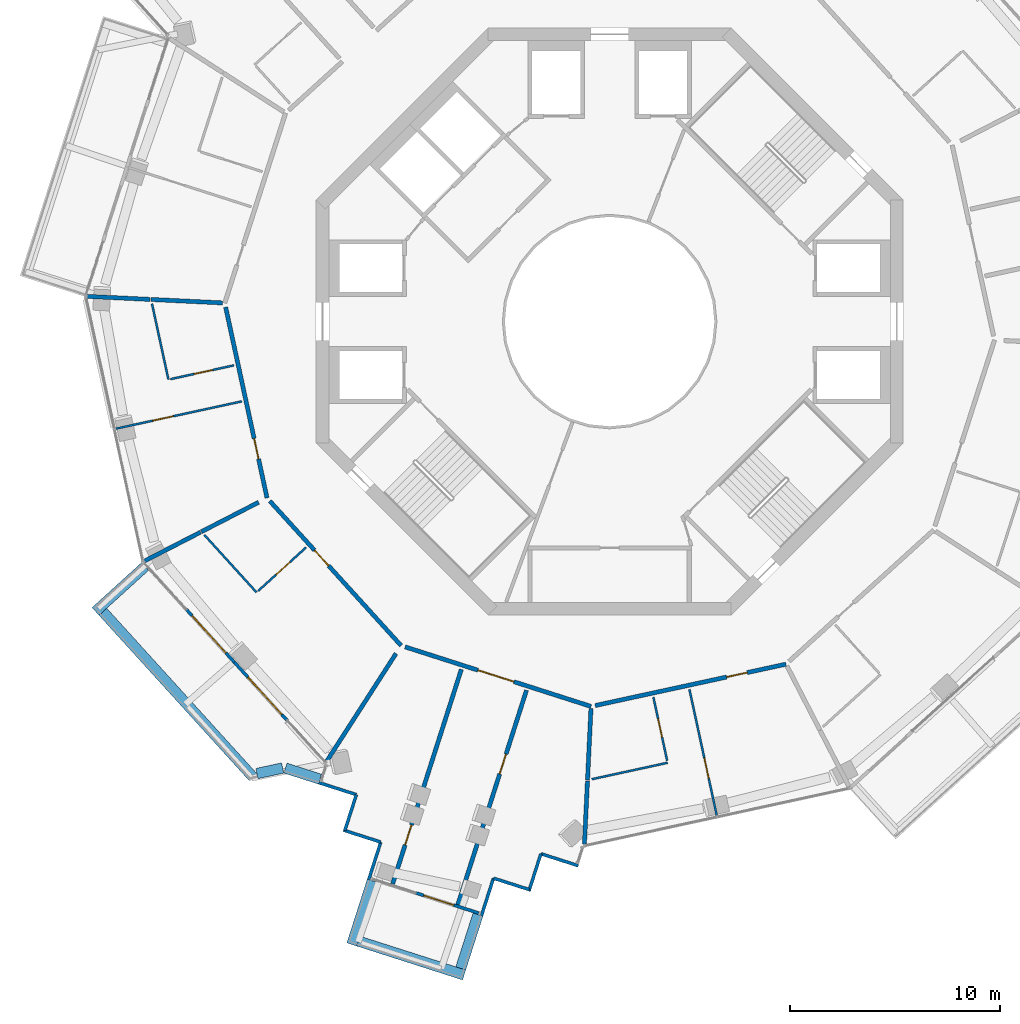
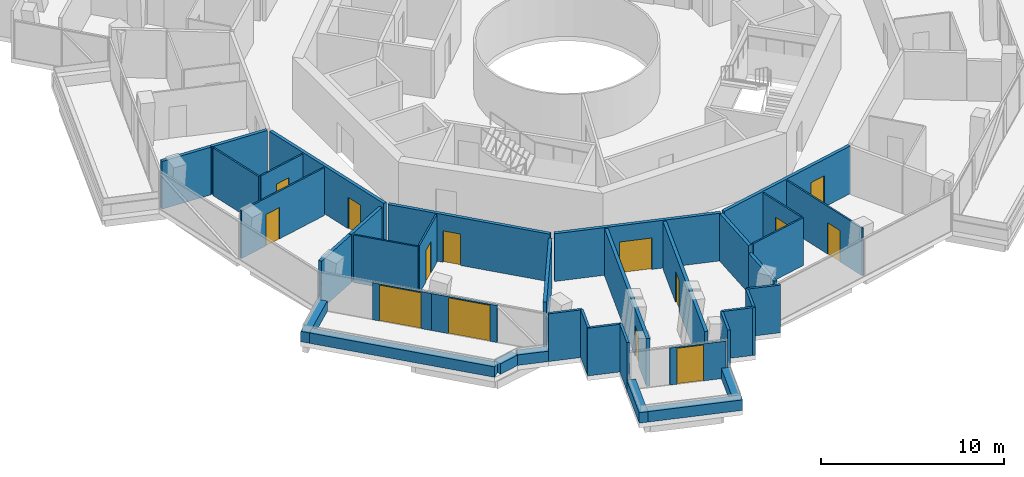
# One storey, part 15 of 23: 39 walls, 14 doors, 14 openings.
"""IFC4 building model written with IfcOpenShell, lengths in metres."""

from ifc_helpers import new_model, si_unit, direction, frame, frame_2d, origin, place, context, subcontext, project, spatial, rectangle, extrude, material, layer, layer_set, type_object, element, fill, save


model = new_model("IFC4")

# Units and contexts
model_context = context("Model", 3, precision=1e-05, world=origin(), true_north=direction((0.0, 1.0)))
body_context = subcontext(model_context, "Body", "Model", "MODEL_VIEW")
ifc_project = project(units=[si_unit("LENGTHUNIT", "METRE"), si_unit("AREAUNIT", "SQUARE_METRE"), si_unit("VOLUMEUNIT", "CUBIC_METRE"), si_unit("PLANEANGLEUNIT", "RADIAN"), si_unit("MASSUNIT", "GRAM", prefix="KILO")], contexts=[model_context])

# Site, building, storey
site_placement = place(None, origin())
site = spatial("IfcSite", under=ifc_project, at=site_placement, CompositionType="ELEMENT")
building_placement = place(site_placement, origin())
building = spatial("IfcBuilding", under=site, at=building_placement, Name="Verdalira Terraces Hotel", CompositionType="ELEMENT")
storey_placement = place(building_placement, frame((0.0, 0.0, 205.5)))
storey = spatial("IfcBuildingStorey", under=building, at=storey_placement, Name="L50", CompositionType="ELEMENT", Elevation=205.5)

# Walls
ifc_material_1 = material(Name="Concrete C40", Category="concrete")
ifc_layer_1 = layer(ifc_material_1, 0.5)
ifc_layer_set_1 = layer_set([ifc_layer_1], Name="Balcony planter trough with tree")
wall_type_1 = type_object("IfcWallType", Name="Balcony planter trough with tree", PredefinedType="SOLIDWALL", material=ifc_layer_set_1)
wall_1_placement = place(storey_placement, frame((-22.161621, -11.680908, 0.0), z_axis=(0.0, 0.0, 1.0), x_axis=(-0.74028876, -0.672289039, 0.0)))
element("IfcWall", 1, at=wall_1_placement, inside=storey, type_object=wall_type_1, Name="Balcony planter", PredefinedType="SOLIDWALL", context=body_context, shape_type="SweptSolid", body=[
    extrude(rectangle(XDim=3.198975, YDim=0.5, at=frame_2d((1.599609, 0.0))), origin(), (0.0, 0.0, 1.0), 0.699951),
])
wall_2_placement = place(storey_placement, frame((-24.176758, -13.848389, 0.0), z_axis=(0.0, 0.0, 1.0), x_axis=(0.672241483, -0.740331945, 0.0)))
element("IfcWall", 2, at=wall_2_placement, inside=storey, type_object=wall_type_1, Name="Balcony planter", PredefinedType="SOLIDWALL", context=body_context, shape_type="SweptSolid", body=[
    extrude(rectangle(XDim=10.652588, YDim=0.5, at=frame_2d((5.326172, 0.0))), origin(), (0.0, 0.0, 1.0), 0.699951),
])
wall_3_placement = place(storey_placement, frame((-16.830566, -21.566895, 0.0), z_axis=(0.0, 0.0, 1.0), x_axis=(0.977258362, 0.212052102, 0.0)))
element("IfcWall", 3, at=wall_3_placement, inside=storey, type_object=wall_type_1, Name="Balcony planter", PredefinedType="SOLIDWALL", context=body_context, shape_type="SweptSolid", body=[
    extrude(rectangle(XDim=1.261963, YDim=0.5, at=frame_2d((0.630859, 0.0))), origin(), (0.0, 0.0, 1.0), 0.699951),
])
wall_4_placement = place(storey_placement, frame((-15.468018, -21.30542, 0.0), z_axis=(0.0, 0.0, 1.0), x_axis=(0.952327477, -0.305077656, 0.0)))
element("IfcWall", 4, at=wall_4_placement, inside=storey, type_object=wall_type_1, Name="Balcony planter", PredefinedType="SOLIDWALL", context=body_context, shape_type="SweptSolid", body=[
    extrude(rectangle(XDim=1.730957, YDim=0.5, at=frame_2d((0.865479, 0.0))), origin(), (0.0, 0.0, 1.0), 0.699951),
])
wall_5_placement = place(storey_placement, frame((-11.32666, -26.675537, 0.0), z_axis=(0.0, 0.0, 1.0), x_axis=(-0.305033239, -0.952341705, 0.0)))
element("IfcWall", 5, at=wall_5_placement, inside=storey, type_object=wall_type_1, Name="Balcony planter", PredefinedType="SOLIDWALL", context=body_context, shape_type="SweptSolid", body=[
    extrude(rectangle(XDim=3.198975, YDim=0.5, at=frame_2d((1.599609, 0.0))), origin(), (0.0, 0.0, 1.0), 0.699951),
])
wall_6_placement = place(storey_placement, frame((-11.988037, -29.560303, 0.0), z_axis=(0.0, 0.0, 1.0), x_axis=(0.952339603, -0.305039801, 0.0)))
element("IfcWall", 6, at=wall_6_placement, inside=storey, type_object=wall_type_1, Name="Balcony planter", PredefinedType="SOLIDWALL", context=body_context, shape_type="SweptSolid", body=[
    extrude(rectangle(XDim=5.300049, YDim=0.5, at=frame_2d((2.649902, 0.0))), origin(), (0.0, 0.0, 1.0), 0.699951),
])
wall_7_placement = place(storey_placement, frame((-7.102539, -30.862793, 0.0), z_axis=(0.0, 0.0, 1.0), x_axis=(0.304998891, 0.952352706, 0.0)))
element("IfcWall", 7, at=wall_7_placement, inside=storey, type_object=wall_type_1, Name="Balcony planter", PredefinedType="SOLIDWALL", context=body_context, shape_type="SweptSolid", body=[
    extrude(rectangle(XDim=2.699219, YDim=0.5, at=frame_2d((1.349609, 0.0))), origin(), (0.0, 0.0, 1.0), 0.699951),
])
ifc_material_2 = material(Name="Moisture-resistant gypsum board partition")
ifc_layer_2 = layer(ifc_material_2, 0.10009765625)
ifc_layer_set_2 = layer_set([ifc_layer_2], Name="Bathroom partition 100 mm")
wall_type_2 = type_object("IfcWallType", Name="Bathroom partition 100 mm", PredefinedType="PARTITIONING", material=ifc_layer_set_2)
wall_8_placement = place(storey_placement, frame((-21.835449, 0.852295, 0.0), z_axis=(0.0, 0.0, 1.0), x_axis=(0.212049247, -0.977258981, 0.0)))
element("IfcWall", 8, at=wall_8_placement, inside=storey, type_object=wall_type_2, Name="Bathroom partition", PredefinedType="PARTITIONING", context=body_context, shape_type="SweptSolid", body=[
    extrude(rectangle(XDim=3.703857, YDim=0.100098, at=frame_2d((1.852051, 0.0))), origin(), (0.0, 0.0, 1.0), 3.189941),
])

# Wall, opening, door
wall_9_placement = place(storey_placement, frame((-23.560303, -5.111084, 0.0), z_axis=(0.0, 0.0, 1.0), x_axis=(0.977272998, 0.211984638, 0.0)))
wall_9 = element("IfcWall", 9, at=wall_9_placement, inside=storey, type_object=wall_type_2, Name="Bathroom partition", PredefinedType="PARTITIONING", context=body_context, shape_type="SweptSolid", body=[
    extrude(rectangle(XDim=6.150146, YDim=0.100098, at=frame_2d((3.075195, 0.0))), origin(), (0.0, 0.0, 1.0), 3.189941),
])
opening_1_placement = place(wall_9_placement, frame((1.800049, 0.0, 0.0)))
opening_1 = element("IfcOpeningElement", 10, at=opening_1_placement, cuts=wall_9, Name="Opening L50-109", PredefinedType="OPENING", context=body_context, shape_type="SweptSolid", body=[
    extrude(rectangle(XDim=1.0, YDim=2.100098, at=frame_2d((0.5, 1.050049))), frame((0.0, 0.060059, 0.0), z_axis=(0.0, -1.0, 0.0), x_axis=(1.0, 0.0, 0.0)), (0.0, 0.0, 1.0), 0.120117),
])
ifc_material_3 = material(Name="Timber door", Category="wood")
door_type_1 = type_object("IfcDoorType", Name="Suite internal door 1000 x 2100", OperationType="NOTDEFINED", PredefinedType="DOOR", material=ifc_material_3)
door_1_placement = place(opening_1_placement, origin())
door_1 = element("IfcDoor", 11, at=door_1_placement, inside=storey, type_object=door_type_1, Name="Suite internal door 5004", OperationType="SINGLE_SWING_LEFT", OverallHeight=2.10009765625, OverallWidth=1.0, PredefinedType="DOOR", context=body_context, shape_type="SweptSolid", body=[
    extrude(rectangle(XDim=1.0, YDim=2.100098, at=frame_2d((0.5, 1.050049))), frame((0.0, 0.024902, 0.0), z_axis=(0.0, -1.0, 0.0), x_axis=(1.0, 0.0, 0.0)), (0.0, 0.0, 1.0), 0.050049),
])
fill(opening_1, door_1)

wall_10_placement = place(storey_placement, frame((-20.952393, -2.746094, 0.0), z_axis=(0.0, 0.0, 1.0), x_axis=(0.977267964, 0.212007846, 0.0)))
wall_10 = element("IfcWall", 12, at=wall_10_placement, inside=storey, type_object=wall_type_2, Name="Bathroom partition", PredefinedType="PARTITIONING", context=body_context, shape_type="SweptSolid", body=[
    extrude(rectangle(XDim=3.100098, YDim=0.100098, at=frame_2d((1.550049, 0.0))), origin(), (0.0, 0.0, 1.0), 3.189941),
])
opening_2_placement = place(wall_10_placement, frame((1.149902, 0.0, 0.0)))
opening_2 = element("IfcOpeningElement", 13, at=opening_2_placement, cuts=wall_10, Name="Opening L50-110", PredefinedType="OPENING", context=body_context, shape_type="SweptSolid", body=[
    extrude(rectangle(XDim=0.899902, YDim=2.100098, at=frame_2d((0.449951, 1.050049))), frame((0.0, 0.060059, 0.0), z_axis=(0.0, -1.0, 0.0), x_axis=(1.0, 0.0, 0.0)), (0.0, 0.0, 1.0), 0.120117),
])
ifc_material_4 = material(Name="Timber door", Category="wood")
door_type_2 = type_object("IfcDoorType", Name="Bathroom door 900 x 2100", OperationType="NOTDEFINED", PredefinedType="DOOR", material=ifc_material_4)
door_2_placement = place(opening_2_placement, origin())
door_2 = element("IfcDoor", 14, at=door_2_placement, inside=storey, type_object=door_type_2, Name="Bathroom door 5004", OperationType="SINGLE_SWING_LEFT", OverallHeight=2.10009765625, OverallWidth=0.89990234375, PredefinedType="DOOR", context=body_context, shape_type="SweptSolid", body=[
    extrude(rectangle(XDim=0.899902, YDim=2.100098, at=frame_2d((0.449951, 1.050049))), frame((0.0, 0.024902, 0.0), z_axis=(0.0, -1.0, 0.0), x_axis=(1.0, 0.0, 0.0)), (0.0, 0.0, 1.0), 0.050049),
])
fill(opening_2, door_2)

# Wall
wall_11_placement = place(storey_placement, frame((-16.846191, -12.921631, 0.0), z_axis=(0.0, 0.0, 1.0), x_axis=(-0.672242906, 0.740330652, 0.0)))
element("IfcWall", 15, at=wall_11_placement, inside=storey, type_object=wall_type_2, Name="Bathroom partition", PredefinedType="PARTITIONING", context=body_context, shape_type="SweptSolid", body=[
    extrude(rectangle(XDim=3.704102, YDim=0.100098, at=frame_2d((1.852051, 0.0))), origin(), (0.0, 0.0, 1.0), 3.189941),
])

# Wall, opening, door
wall_12_placement = place(storey_placement, frame((-16.772217, -12.854492, 0.0), z_axis=(0.0, 0.0, 1.0), x_axis=(0.74031058, 0.672265011, 0.0)))
wall_12 = element("IfcWall", 16, at=wall_12_placement, inside=storey, type_object=wall_type_2, Name="Bathroom partition", PredefinedType="PARTITIONING", context=body_context, shape_type="SweptSolid", body=[
    extrude(rectangle(XDim=3.099854, YDim=0.100098, at=frame_2d((1.549805, 0.0))), origin(), (0.0, 0.0, 1.0), 3.189941),
])
opening_3_placement = place(wall_12_placement, frame((1.149902, 0.0, 0.0)))
opening_3 = element("IfcOpeningElement", 17, at=opening_3_placement, cuts=wall_12, Name="Opening L50-112", PredefinedType="OPENING", context=body_context, shape_type="SweptSolid", body=[
    extrude(rectangle(XDim=0.899902, YDim=2.100098, at=frame_2d((0.449951, 1.050049))), frame((0.0, 0.060059, 0.0), z_axis=(0.0, -1.0, 0.0), x_axis=(1.0, 0.0, 0.0)), (0.0, 0.0, 1.0), 0.120117),
])
door_3_placement = place(opening_3_placement, origin())
door_3 = element("IfcDoor", 18, at=door_3_placement, inside=storey, type_object=door_type_2, Name="Bathroom door 5005", OperationType="SINGLE_SWING_LEFT", OverallHeight=2.10009765625, OverallWidth=0.89990234375, PredefinedType="DOOR", context=body_context, shape_type="SweptSolid", body=[
    extrude(rectangle(XDim=0.899902, YDim=2.100098, at=frame_2d((0.449951, 1.050049))), frame((0.0, 0.024902, 0.0), z_axis=(0.0, -1.0, 0.0), x_axis=(1.0, 0.0, 0.0)), (0.0, 0.0, 1.0), 0.050049),
])
fill(opening_3, door_3)

# Wall
wall_13_placement = place(storey_placement, frame((-0.852295, -21.835449, 0.0), z_axis=(0.0, 0.0, 1.0), x_axis=(0.977258981, 0.212049247, 0.0)))
element("IfcWall", 19, at=wall_13_placement, inside=storey, type_object=wall_type_2, Name="Bathroom partition", PredefinedType="PARTITIONING", context=body_context, shape_type="SweptSolid", body=[
    extrude(rectangle(XDim=3.703857, YDim=0.100098, at=frame_2d((1.852051, 0.0))), origin(), (0.0, 0.0, 1.0), 3.189941),
])

# Wall, opening, door
wall_14_placement = place(storey_placement, frame((2.746094, -20.952393, 0.0), z_axis=(0.0, 0.0, 1.0), x_axis=(-0.212007846, 0.977267964, 0.0)))
wall_14 = element("IfcWall", 20, at=wall_14_placement, inside=storey, type_object=wall_type_2, Name="Bathroom partition", PredefinedType="PARTITIONING", context=body_context, shape_type="SweptSolid", body=[
    extrude(rectangle(XDim=3.100098, YDim=0.100098, at=frame_2d((1.550049, 0.0))), origin(), (0.0, 0.0, 1.0), 3.189941),
])
opening_4_placement = place(wall_14_placement, frame((1.149902, 0.0, 0.0)))
opening_4 = element("IfcOpeningElement", 21, at=opening_4_placement, cuts=wall_14, Name="Opening L50-118", PredefinedType="OPENING", context=body_context, shape_type="SweptSolid", body=[
    extrude(rectangle(XDim=0.899902, YDim=2.100098, at=frame_2d((0.449951, 1.050049))), frame((0.0, 0.060059, 0.0), z_axis=(0.0, -1.0, 0.0), x_axis=(1.0, 0.0, 0.0)), (0.0, 0.0, 1.0), 0.120117),
])
door_4_placement = place(opening_4_placement, origin())
door_4 = element("IfcDoor", 22, at=door_4_placement, inside=storey, type_object=door_type_2, Name="Bathroom door 5007", OperationType="SINGLE_SWING_LEFT", OverallHeight=2.10009765625, OverallWidth=0.89990234375, PredefinedType="DOOR", context=body_context, shape_type="SweptSolid", body=[
    extrude(rectangle(XDim=0.899902, YDim=2.100098, at=frame_2d((0.449951, 1.050049))), frame((0.0, 0.024902, 0.0), z_axis=(0.0, -1.0, 0.0), x_axis=(1.0, 0.0, 0.0)), (0.0, 0.0, 1.0), 0.050049),
])
fill(opening_4, door_4)

wall_15_placement = place(storey_placement, frame((5.111084, -23.560303, 0.0), z_axis=(0.0, 0.0, 1.0), x_axis=(-0.211984638, 0.977272998, 0.0)))
wall_15 = element("IfcWall", 23, at=wall_15_placement, inside=storey, type_object=wall_type_2, Name="Bathroom partition", PredefinedType="PARTITIONING", context=body_context, shape_type="SweptSolid", body=[
    extrude(rectangle(XDim=6.150146, YDim=0.100098, at=frame_2d((3.075195, 0.0))), origin(), (0.0, 0.0, 1.0), 3.189941),
])
opening_5_placement = place(wall_15_placement, frame((1.800049, 0.0, 0.0)))
opening_5 = element("IfcOpeningElement", 24, at=opening_5_placement, cuts=wall_15, Name="Opening L50-117", PredefinedType="OPENING", context=body_context, shape_type="SweptSolid", body=[
    extrude(rectangle(XDim=1.0, YDim=2.100098, at=frame_2d((0.5, 1.050049))), frame((0.0, 0.060059, 0.0), z_axis=(0.0, -1.0, 0.0), x_axis=(1.0, 0.0, 0.0)), (0.0, 0.0, 1.0), 0.120117),
])
door_5_placement = place(opening_5_placement, origin())
door_5 = element("IfcDoor", 25, at=door_5_placement, inside=storey, type_object=door_type_1, Name="Suite internal door 5007", OperationType="SINGLE_SWING_LEFT", OverallHeight=2.10009765625, OverallWidth=1.0, PredefinedType="DOOR", context=body_context, shape_type="SweptSolid", body=[
    extrude(rectangle(XDim=1.0, YDim=2.100098, at=frame_2d((0.5, 1.050049))), frame((0.0, 0.024902, 0.0), z_axis=(0.0, -1.0, 0.0), x_axis=(1.0, 0.0, 0.0)), (0.0, 0.0, 1.0), 0.050049),
])
fill(opening_5, door_5)

# Walls
ifc_material_5 = material(Name="Fire-rated gypsum board wall")
ifc_layer_3 = layer(ifc_material_5, 0.199951171875)
ifc_layer_set_3 = layer_set([ifc_layer_3], Name="Demising wall 200 mm")
wall_type_3 = type_object("IfcWallType", Name="Demising wall 200 mm", PredefinedType="SOLIDWALL", material=ifc_layer_set_3)
wall_16_placement = place(storey_placement, frame((-21.927246, 1.057129, 0.0), z_axis=(0.0, 0.0, 1.0), x_axis=(-0.998839714, 0.048158343, 0.0)))
element("IfcWall", 26, at=wall_16_placement, inside=storey, type_object=wall_type_3, Name="Demising wall", PredefinedType="SOLIDWALL", context=body_context, shape_type="SweptSolid", body=[
    extrude(rectangle(XDim=3.01123, YDim=0.199951, at=frame_2d((1.505615, 0.0))), origin(), (0.0, 0.0, 1.0), 3.189941),
])
wall_17_placement = place(storey_placement, frame((-19.518066, -10.048096, 0.0), z_axis=(0.0, 0.0, 1.0), x_axis=(-0.889095542, -0.457721659, 0.0)))
element("IfcWall", 27, at=wall_17_placement, inside=storey, type_object=wall_type_3, Name="Demising wall", PredefinedType="SOLIDWALL", context=body_context, shape_type="SweptSolid", body=[
    extrude(rectangle(XDim=3.011475, YDim=0.199951, at=frame_2d((1.505859, 0.0))), origin(), (0.0, 0.0, 1.0), 3.189941),
])
wall_18_placement = place(storey_placement, frame((-18.466797, 0.890381, 0.0), z_axis=(0.0, 0.0, 1.0), x_axis=(-0.99884083, 0.048135187, 0.0)))
element("IfcWall", 28, at=wall_18_placement, inside=storey, type_object=wall_type_3, Name="Demising wall", PredefinedType="SOLIDWALL", context=body_context, shape_type="SweptSolid", body=[
    extrude(rectangle(XDim=3.418457, YDim=0.199951, at=frame_2d((1.709229, 0.0))), origin(), (0.0, 0.0, 1.0), 3.189941),
])
wall_19_placement = place(storey_placement, frame((-16.743408, -8.619873, 0.0), z_axis=(0.0, 0.0, 1.0), x_axis=(-0.889125357, -0.45766374, 0.0)))
element("IfcWall", 29, at=wall_19_placement, inside=storey, type_object=wall_type_3, Name="Demising wall", PredefinedType="SOLIDWALL", context=body_context, shape_type="SweptSolid", body=[
    extrude(rectangle(XDim=3.074707, YDim=0.199951, at=frame_2d((1.537354, 0.0))), origin(), (0.0, 0.0, 1.0), 3.189941),
])
wall_20_placement = place(storey_placement, frame((-13.508545, -20.993408, 0.0), z_axis=(0.0, 0.0, 1.0), x_axis=(0.541111701, 0.840950728, 0.0)))
element("IfcWall", 30, at=wall_20_placement, inside=storey, type_object=wall_type_3, Name="Demising wall", PredefinedType="SOLIDWALL", context=body_context, shape_type="SweptSolid", body=[
    extrude(rectangle(XDim=6.13208, YDim=0.199951, at=frame_2d((3.065918, 0.0))), origin(), (0.0, 0.0, 1.0), 3.189941),
])

# Wall, opening, door
wall_21_placement = place(storey_placement, frame((-10.352783, -26.829102, 0.0), z_axis=(0.0, 0.0, 1.0), x_axis=(0.305045998, 0.952337618, 0.0)))
wall_21 = element("IfcWall", 31, at=wall_21_placement, inside=storey, type_object=wall_type_3, Name="Demising wall", PredefinedType="SOLIDWALL", context=body_context, shape_type="SweptSolid", body=[
    extrude(rectangle(XDim=10.750244, YDim=0.199951, at=frame_2d((5.375, 0.0))), origin(), (0.0, 0.0, 1.0), 3.189941),
])
opening_6_placement = place(wall_21_placement, frame((1.949951, 0.0, 0.0)))
opening_6 = element("IfcOpeningElement", 32, at=opening_6_placement, cuts=wall_21, Name="Opening L50-114", PredefinedType="OPENING", context=body_context, shape_type="SweptSolid", body=[
    extrude(rectangle(XDim=1.0, YDim=2.100098, at=frame_2d((0.5, 1.050049))), frame((0.0, 0.109863, 0.0), z_axis=(0.0, -1.0, 0.0), x_axis=(1.0, 0.0, 0.0)), (0.0, 0.0, 1.0), 0.219971),
])
ifc_material_6 = material(Name="Timber fire door", Category="wood")
door_type_3 = type_object("IfcDoorType", Name="Public room door 1000 x 2100", OperationType="NOTDEFINED", PredefinedType="DOOR", material=ifc_material_6)
door_6_placement = place(opening_6_placement, origin())
door_6 = element("IfcDoor", 33, at=door_6_placement, inside=storey, type_object=door_type_3, Name="Public room door 5006", OperationType="SINGLE_SWING_LEFT", OverallHeight=2.10009765625, OverallWidth=1.0, PredefinedType="DOOR", context=body_context, shape_type="SweptSolid", body=[
    extrude(rectangle(XDim=1.0, YDim=2.100098, at=frame_2d((0.5, 1.050049))), frame((0.0, 0.024902, 0.0), z_axis=(0.0, -1.0, 0.0), x_axis=(1.0, 0.0, 0.0)), (0.0, 0.0, 1.0), 0.050049),
])
fill(opening_6, door_6)

wall_22_placement = place(storey_placement, frame((-3.9646, -17.587158, 0.0), z_axis=(0.0, 0.0, 1.0), x_axis=(-0.305031998, -0.952342102, 0.0)))
wall_22 = element("IfcWall", 34, at=wall_22_placement, inside=storey, type_object=wall_type_3, Name="Demising wall", PredefinedType="SOLIDWALL", context=body_context, shape_type="SweptSolid", body=[
    extrude(rectangle(XDim=10.749756, YDim=0.199951, at=frame_2d((5.375, 0.0))), origin(), (0.0, 0.0, 1.0), 3.189941),
])
opening_7_placement = place(wall_22_placement, frame((3.199951, 0.0, 0.0)))
opening_7 = element("IfcOpeningElement", 35, at=opening_7_placement, cuts=wall_22, Name="Opening L50-115", PredefinedType="OPENING", context=body_context, shape_type="SweptSolid", body=[
    extrude(rectangle(XDim=1.0, YDim=2.100098, at=frame_2d((0.5, 1.050049))), frame((0.0, 0.109863, 0.0), z_axis=(0.0, -1.0, 0.0), x_axis=(1.0, 0.0, 0.0)), (0.0, 0.0, 1.0), 0.219971),
])
door_7_placement = place(opening_7_placement, origin())
door_7 = element("IfcDoor", 36, at=door_7_placement, inside=storey, type_object=door_type_3, Name="Public room door 5006", OperationType="SINGLE_SWING_LEFT", OverallHeight=2.10009765625, OverallWidth=1.0, PredefinedType="DOOR", context=body_context, shape_type="SweptSolid", body=[
    extrude(rectangle(XDim=1.0, YDim=2.100098, at=frame_2d((0.5, 1.050049))), frame((0.0, 0.024902, 0.0), z_axis=(0.0, -1.0, 0.0), x_axis=(1.0, 0.0, 0.0)), (0.0, 0.0, 1.0), 0.050049),
])
fill(opening_7, door_7)

# Walls
wall_23_placement = place(storey_placement, frame((-0.890381, -18.466797, 0.0), z_axis=(0.0, 0.0, 1.0), x_axis=(-0.048135187, -0.99884083, 0.0)))
element("IfcWall", 37, at=wall_23_placement, inside=storey, type_object=wall_type_3, Name="Demising wall", PredefinedType="SOLIDWALL", context=body_context, shape_type="SweptSolid", body=[
    extrude(rectangle(XDim=3.418457, YDim=0.199951, at=frame_2d((1.709229, 0.0))), origin(), (0.0, 0.0, 1.0), 3.189941),
])
ifc_material_7 = material(Name="Fire-rated gypsum board wall")
ifc_layer_4 = layer(ifc_material_7, 0.199951171875)
ifc_layer_set_4 = layer_set([ifc_layer_4], Name="Demising wall 200 mm to beam soffit")
wall_type_4 = type_object("IfcWallType", Name="Demising wall 200 mm to beam soffit", PredefinedType="SOLIDWALL", material=ifc_layer_set_4)
wall_24_placement = place(storey_placement, frame((-1.057129, -21.927246, 0.0), z_axis=(0.0, 0.0, 1.0), x_axis=(-0.048158343, -0.998839714, 0.0)))
element("IfcWall", 38, at=wall_24_placement, inside=storey, type_object=wall_type_4, Name="Demising wall", PredefinedType="SOLIDWALL", context=body_context, shape_type="SweptSolid", body=[
    extrude(rectangle(XDim=3.01123, YDim=0.199951, at=frame_2d((1.505615, 0.0))), origin(), (0.0, 0.0, 1.0), 2.689941),
])

# Wall, opening, door
ifc_material_8 = material(Name="Fire-rated gypsum board wall")
ifc_layer_5 = layer(ifc_material_8, 0.199951171875)
ifc_layer_set_5 = layer_set([ifc_layer_5], Name="Guest corridor wall 200 mm")
wall_type_5 = type_object("IfcWallType", Name="Guest corridor wall 200 mm", PredefinedType="SOLIDWALL", material=ifc_layer_set_5)
wall_25_placement = place(storey_placement, frame((-16.345947, -8.415039, 0.0), z_axis=(0.0, 0.0, 1.0), x_axis=(-0.211999887, 0.97726969, 0.0)))
wall_25 = element("IfcWall", 39, at=wall_25_placement, inside=storey, type_object=wall_type_5, Name="Guest corridor wall", PredefinedType="SOLIDWALL", context=body_context, shape_type="SweptSolid", body=[
    extrude(rectangle(XDim=9.316406, YDim=0.199951, at=frame_2d((4.658203, 0.0))), origin(), (0.0, 0.0, 1.0), 3.189941),
])
opening_8_placement = place(wall_25_placement, frame((1.899902, 0.0, 0.0)))
opening_8 = element("IfcOpeningElement", 40, at=opening_8_placement, cuts=wall_25, Name="Opening L50-108", PredefinedType="OPENING", context=body_context, shape_type="SweptSolid", body=[
    extrude(rectangle(XDim=1.0, YDim=2.100098, at=frame_2d((0.5, 1.050049))), frame((0.0, 0.109863, 0.0), z_axis=(0.0, -1.0, 0.0), x_axis=(1.0, 0.0, 0.0)), (0.0, 0.0, 1.0), 0.219971),
])
ifc_material_9 = material(Name="Timber fire door", Category="wood")
door_type_4 = type_object("IfcDoorType", Name="Guest entry door 1000 x 2100", OperationType="NOTDEFINED", PredefinedType="DOOR", material=ifc_material_9)
door_8_placement = place(opening_8_placement, origin())
door_8 = element("IfcDoor", 41, at=door_8_placement, inside=storey, type_object=door_type_4, Name="Guest entry door 5004", OperationType="SINGLE_SWING_LEFT", OverallHeight=2.10009765625, OverallWidth=1.0, PredefinedType="DOOR", context=body_context, shape_type="SweptSolid", body=[
    extrude(rectangle(XDim=1.0, YDim=2.100098, at=frame_2d((0.5, 1.050049))), frame((0.0, 0.024902, 0.0), z_axis=(0.0, -1.0, 0.0), x_axis=(1.0, 0.0, 0.0)), (0.0, 0.0, 1.0), 0.050049),
])
fill(opening_8, door_8)

wall_26_placement = place(storey_placement, frame((-9.948486, -15.460449, 0.0), z_axis=(0.0, 0.0, 1.0), x_axis=(-0.672246163, 0.740327695, 0.0)))
wall_26 = element("IfcWall", 42, at=wall_26_placement, inside=storey, type_object=wall_type_5, Name="Guest corridor wall", PredefinedType="SOLIDWALL", context=body_context, shape_type="SweptSolid", body=[
    extrude(rectangle(XDim=9.316406, YDim=0.199951, at=frame_2d((4.658203, 0.0))), origin(), (0.0, 0.0, 1.0), 3.189941),
])
opening_9_placement = place(wall_26_placement, frame((5.149902, 0.0, 0.0)))
opening_9 = element("IfcOpeningElement", 43, at=opening_9_placement, cuts=wall_26, Name="Opening L50-111", PredefinedType="OPENING", context=body_context, shape_type="SweptSolid", body=[
    extrude(rectangle(XDim=1.0, YDim=2.100098, at=frame_2d((0.5, 1.050049))), frame((0.0, 0.109863, 0.0), z_axis=(0.0, -1.0, 0.0), x_axis=(1.0, 0.0, 0.0)), (0.0, 0.0, 1.0), 0.219971),
])
door_9_placement = place(opening_9_placement, origin())
door_9 = element("IfcDoor", 44, at=door_9_placement, inside=storey, type_object=door_type_4, Name="Guest entry door 5005", OperationType="SINGLE_SWING_LEFT", OverallHeight=2.10009765625, OverallWidth=1.0, PredefinedType="DOOR", context=body_context, shape_type="SweptSolid", body=[
    extrude(rectangle(XDim=1.0, YDim=2.100098, at=frame_2d((0.5, 1.050049))), frame((0.0, 0.024902, 0.0), z_axis=(0.0, -1.0, 0.0), x_axis=(1.0, 0.0, 0.0)), (0.0, 0.0, 1.0), 0.050049),
])
fill(opening_9, door_9)

wall_27_placement = place(storey_placement, frame((-0.885254, -18.363281, 0.0), z_axis=(0.0, 0.0, 1.0), x_axis=(-0.952343787, 0.305026737, 0.0)))
wall_27 = element("IfcWall", 45, at=wall_27_placement, inside=storey, type_object=wall_type_5, Name="Guest corridor wall", PredefinedType="SOLIDWALL", context=body_context, shape_type="SweptSolid", body=[
    extrude(rectangle(XDim=9.31665, YDim=0.199951, at=frame_2d((4.658203, 0.0))), origin(), (0.0, 0.0, 1.0), 3.189941),
])
opening_10_placement = place(wall_27_placement, frame((3.869385, 0.0, 0.0)))
opening_10 = element("IfcOpeningElement", 46, at=opening_10_placement, cuts=wall_27, Name="Opening L50-113", PredefinedType="OPENING", context=body_context, shape_type="SweptSolid", body=[
    extrude(rectangle(XDim=1.800049, YDim=2.100098, at=frame_2d((0.899902, 1.050049))), frame((0.0, 0.109863, 0.0), z_axis=(0.0, -1.0, 0.0), x_axis=(1.0, 0.0, 0.0)), (0.0, 0.0, 1.0), 0.219971),
])
ifc_material_10 = material(Name="Timber fire door", Category="wood")
door_type_5 = type_object("IfcDoorType", Name="Public room double door 1800 x 2100", OperationType="NOTDEFINED", PredefinedType="DOOR", material=ifc_material_10)
door_10_placement = place(opening_10_placement, origin())
door_10 = element("IfcDoor", 47, at=door_10_placement, inside=storey, type_object=door_type_5, Name="Public room double door 5006", OperationType="DOUBLE_DOOR_SINGLE_SWING", OverallHeight=2.10009765625, OverallWidth=1.800048828125, PredefinedType="DOOR", context=body_context, shape_type="SweptSolid", body=[
    extrude(rectangle(XDim=1.800049, YDim=2.100098, at=frame_2d((0.899902, 1.050049))), frame((0.0, 0.024902, 0.0), z_axis=(0.0, -1.0, 0.0), x_axis=(1.0, 0.0, 0.0)), (0.0, 0.0, 1.0), 0.050049),
])
fill(opening_10, door_10)

wall_28_placement = place(storey_placement, frame((8.415039, -16.345947, 0.0), z_axis=(0.0, 0.0, 1.0), x_axis=(-0.97726969, -0.211999887, 0.0)))
wall_28 = element("IfcWall", 48, at=wall_28_placement, inside=storey, type_object=wall_type_5, Name="Guest corridor wall", PredefinedType="SOLIDWALL", context=body_context, shape_type="SweptSolid", body=[
    extrude(rectangle(XDim=9.316406, YDim=0.199951, at=frame_2d((4.658203, 0.0))), origin(), (0.0, 0.0, 1.0), 3.189941),
])
opening_11_placement = place(wall_28_placement, frame((1.899902, 0.0, 0.0)))
opening_11 = element("IfcOpeningElement", 49, at=opening_11_placement, cuts=wall_28, Name="Opening L50-116", PredefinedType="OPENING", context=body_context, shape_type="SweptSolid", body=[
    extrude(rectangle(XDim=1.0, YDim=2.100098, at=frame_2d((0.5, 1.050049))), frame((0.0, 0.109863, 0.0), z_axis=(0.0, -1.0, 0.0), x_axis=(1.0, 0.0, 0.0)), (0.0, 0.0, 1.0), 0.219971),
])
door_11_placement = place(opening_11_placement, origin())
door_11 = element("IfcDoor", 50, at=door_11_placement, inside=storey, type_object=door_type_4, Name="Guest entry door 5007", OperationType="SINGLE_SWING_LEFT", OverallHeight=2.10009765625, OverallWidth=1.0, PredefinedType="DOOR", context=body_context, shape_type="SweptSolid", body=[
    extrude(rectangle(XDim=1.0, YDim=2.100098, at=frame_2d((0.5, 1.050049))), frame((0.0, 0.024902, 0.0), z_axis=(0.0, -1.0, 0.0), x_axis=(1.0, 0.0, 0.0)), (0.0, 0.0, 1.0), 0.050049),
])
fill(opening_11, door_11)

# Walls
ifc_material_11 = material(Name="Terracotta cladding", Category="masonry")
ifc_layer_6 = layer(ifc_material_11, 0.14990234375)
ifc_layer_set_6 = layer_set([ifc_layer_6], Name="Terracotta clad wall 150")
wall_type_6 = type_object("IfcWallType", Name="Terracotta clad wall 150", PredefinedType="SOLIDWALL", material=ifc_layer_set_6)
wall_29_placement = place(storey_placement, frame((-13.871826, -22.000488, 0.0), z_axis=(0.0, 0.0, 1.0), x_axis=(0.952328855, -0.305073354, 0.0)))
element("IfcWall", 51, at=wall_29_placement, inside=storey, type_object=wall_type_6, Name="Terracotta cladding wall", PredefinedType="SOLIDWALL", context=body_context, shape_type="SweptSolid", body=[
    extrude(rectangle(XDim=1.875, YDim=0.149902, at=frame_2d((0.9375, 0.0))), origin(), (0.0, 0.0, 1.0), 3.189941),
])
wall_30_placement = place(storey_placement, frame((-12.086182, -22.57251, 0.0), z_axis=(0.0, 0.0, 1.0), x_axis=(-0.305056248, -0.952334335, 0.0)))
element("IfcWall", 52, at=wall_30_placement, inside=storey, type_object=wall_type_6, Name="Terracotta cladding wall", PredefinedType="SOLIDWALL", context=body_context, shape_type="SweptSolid", body=[
    extrude(rectangle(XDim=1.799805, YDim=0.149902, at=frame_2d((0.899902, 0.0))), origin(), (0.0, 0.0, 1.0), 3.189941),
])
for number, where, z_axis, x_axis, name in (
    (53, (-12.706787, -24.263672, 0.0), (0.0, 0.0, 1.0), (0.952328855, -0.305073354, 0.0), "Terracotta cladding wall"),
    (54, (-10.921143, -24.835693, 0.0), (0.0, 0.0, 1.0), (-0.304955259, -0.952366678, 0.0), "Terracotta cladding wall"),
    (55, (-6.112305, -28.344727, 0.0), (0.0, 0.0, 1.0), (0.305073354, 0.952328855, 0.0), "Terracotta cladding wall"),
):
    element("IfcWall", number, at=place(storey_placement, frame(where, z_axis=z_axis, x_axis=x_axis)), inside=storey, type_object=wall_type_6, Name=name, PredefinedType="SOLIDWALL", context=body_context, shape_type="SweptSolid", body=[
        extrude(rectangle(XDim=1.875, YDim=0.149902, at=frame_2d((0.9375, 0.0))), origin(), (0.0, 0.0, 1.0), 3.189941),
    ])
wall_31_placement = place(storey_placement, frame((-5.540283, -26.559082, 0.0), z_axis=(0.0, 0.0, 1.0), x_axis=(0.952334335, -0.305056248, 0.0)))
element("IfcWall", 56, at=wall_31_placement, inside=storey, type_object=wall_type_6, Name="Terracotta cladding wall", PredefinedType="SOLIDWALL", context=body_context, shape_type="SweptSolid", body=[
    extrude(rectangle(XDim=1.799805, YDim=0.149902, at=frame_2d((0.899902, 0.0))), origin(), (0.0, 0.0, 1.0), 3.189941),
])
for number, where, z_axis, x_axis, name in (
    (57, (-3.849121, -27.179688, 0.0), (0.0, 0.0, 1.0), (0.305073354, 0.952328855, 0.0), "Terracotta cladding wall"),
    (58, (-3.2771, -25.394043, 0.0), (0.0, 0.0, 1.0), (0.952366678, -0.304955259, 0.0), "Terracotta cladding wall"),
):
    element("IfcWall", number, at=place(storey_placement, frame(where, z_axis=z_axis, x_axis=x_axis)), inside=storey, type_object=wall_type_6, Name=name, PredefinedType="SOLIDWALL", context=body_context, shape_type="SweptSolid", body=[
        extrude(rectangle(XDim=1.875, YDim=0.149902, at=frame_2d((0.9375, 0.0))), origin(), (0.0, 0.0, 1.0), 3.189941),
    ])

# Wall, opening, door
ifc_material_12 = material(Name="Terracotta cladding", Category="masonry")
ifc_layer_7 = layer(ifc_material_12, 0.14990234375)
ifc_layer_set_7 = layer_set([ifc_layer_7], Name="Terracotta door pier 150")
wall_type_7 = type_object("IfcWallType", Name="Terracotta door pier 150", PredefinedType="SOLIDWALL", material=ifc_layer_set_7)
wall_32_placement = place(storey_placement, frame((-20.189453, -13.739746, 0.0), z_axis=(0.0, 0.0, 1.0), x_axis=(0.672250944, -0.740323354, 0.0)))
wall_32 = element("IfcWall", 59, at=wall_32_placement, inside=storey, type_object=wall_type_7, Name="Terracotta door pier", PredefinedType="SOLIDWALL", context=body_context, shape_type="SweptSolid", body=[
    extrude(rectangle(XDim=3.399902, YDim=0.149902, at=frame_2d((1.699951, 0.0))), origin(), (0.0, 0.0, 1.0), 2.475098),
])
opening_12_placement = place(wall_32_placement, frame((0.399902, 0.0, 0.0)))
opening_12 = element("IfcOpeningElement", 60, at=opening_12_placement, cuts=wall_32, Name="Opening L50-B03", PredefinedType="OPENING", context=body_context, shape_type="SweptSolid", body=[
    extrude(rectangle(XDim=2.399902, YDim=2.399902, at=frame_2d((1.199951, 1.199951))), frame((0.0, 0.084961, 0.0), z_axis=(0.0, -1.0, 0.0), x_axis=(1.0, 0.0, 0.0)), (0.0, 0.0, 1.0), 0.169922),
])
ifc_material_13 = material(Name="Clear glass", Category="glass")
door_type_6 = type_object("IfcDoorType", Name="Balcony sliding door 2400x2400", OperationType="NOTDEFINED", PredefinedType="DOOR", material=ifc_material_13)
door_12_placement = place(opening_12_placement, origin())
door_12 = element("IfcDoor", 61, at=door_12_placement, inside=storey, type_object=door_type_6, Name="Balcony sliding door", OperationType="SLIDING_TO_RIGHT", OverallHeight=2.39990234375, OverallWidth=2.39990234375, PredefinedType="DOOR", context=body_context, shape_type="SweptSolid", body=[
    extrude(rectangle(XDim=2.399902, YDim=2.399902, at=frame_2d((1.199951, 1.199951))), frame((0.0, 0.024902, 0.0), z_axis=(0.0, -1.0, 0.0), x_axis=(1.0, 0.0, 0.0)), (0.0, 0.0, 1.0), 0.050049),
])
fill(opening_12, door_12)

wall_33_placement = place(storey_placement, frame((-17.903809, -16.256836, 0.0), z_axis=(0.0, 0.0, 1.0), x_axis=(0.672243001, -0.740330566, 0.0)))
wall_33 = element("IfcWall", 62, at=wall_33_placement, inside=storey, type_object=wall_type_7, Name="Terracotta door pier", PredefinedType="SOLIDWALL", context=body_context, shape_type="SweptSolid", body=[
    extrude(rectangle(XDim=3.761475, YDim=0.149902, at=frame_2d((1.880859, 0.0))), origin(), (0.0, 0.0, 1.0), 2.475098),
])
opening_13_placement = place(wall_33_placement, frame((0.961182, 0.0, 0.0)))
opening_13 = element("IfcOpeningElement", 63, at=opening_13_placement, cuts=wall_33, Name="Opening L50-B04", PredefinedType="OPENING", context=body_context, shape_type="SweptSolid", body=[
    extrude(rectangle(XDim=2.399902, YDim=2.399902, at=frame_2d((1.199951, 1.199951))), frame((0.0, 0.084961, 0.0), z_axis=(0.0, -1.0, 0.0), x_axis=(1.0, 0.0, 0.0)), (0.0, 0.0, 1.0), 0.169922),
])
door_13_placement = place(opening_13_placement, origin())
door_13 = element("IfcDoor", 64, at=door_13_placement, inside=storey, type_object=door_type_6, Name="Balcony sliding door", OperationType="SLIDING_TO_LEFT", OverallHeight=2.39990234375, OverallWidth=2.39990234375, PredefinedType="DOOR", context=body_context, shape_type="SweptSolid", body=[
    extrude(rectangle(XDim=2.399902, YDim=2.399902, at=frame_2d((1.199951, 1.199951))), frame((0.0, 0.024902, 0.0), z_axis=(0.0, -1.0, 0.0), x_axis=(1.0, 0.0, 0.0)), (0.0, 0.0, 1.0), 0.050049),
])
fill(opening_13, door_13)

wall_34_placement = place(storey_placement, frame((-9.246338, -27.262207, 0.0), z_axis=(0.0, 0.0, 1.0), x_axis=(0.952341579, -0.305033632, 0.0)))
wall_34 = element("IfcWall", 65, at=wall_34_placement, inside=storey, type_object=wall_type_7, Name="Terracotta door pier", PredefinedType="SOLIDWALL", context=body_context, shape_type="SweptSolid", body=[
    extrude(rectangle(XDim=3.159912, YDim=0.149902, at=frame_2d((1.580078, 0.0))), origin(), (0.0, 0.0, 1.0), 2.475098),
])
opening_14_placement = place(wall_34_placement, frame((0.399902, 0.0, 0.0)))
opening_14 = element("IfcOpeningElement", 66, at=opening_14_placement, cuts=wall_34, Name="Opening L50-B05", PredefinedType="OPENING", context=body_context, shape_type="SweptSolid", body=[
    extrude(rectangle(XDim=1.5, YDim=2.399902, at=frame_2d((0.75, 1.199951))), frame((0.0, 0.084961, 0.0), z_axis=(0.0, -1.0, 0.0), x_axis=(1.0, 0.0, 0.0)), (0.0, 0.0, 1.0), 0.169922),
])
ifc_material_14 = material(Name="Clear glass", Category="glass")
door_type_7 = type_object("IfcDoorType", Name="Balcony sliding door 1500x2400", OperationType="NOTDEFINED", PredefinedType="DOOR", material=ifc_material_14)
door_14_placement = place(opening_14_placement, origin())
door_14 = element("IfcDoor", 67, at=door_14_placement, inside=storey, type_object=door_type_7, Name="Balcony sliding door", OperationType="SLIDING_TO_RIGHT", OverallHeight=2.39990234375, OverallWidth=1.5, PredefinedType="DOOR", context=body_context, shape_type="SweptSolid", body=[
    extrude(rectangle(XDim=1.5, YDim=2.399902, at=frame_2d((0.75, 1.199951))), frame((0.0, 0.024902, 0.0), z_axis=(0.0, -1.0, 0.0), x_axis=(1.0, 0.0, 0.0)), (0.0, 0.0, 1.0), 0.050049),
])
fill(opening_14, door_14)

save(model, "model.ifc")
